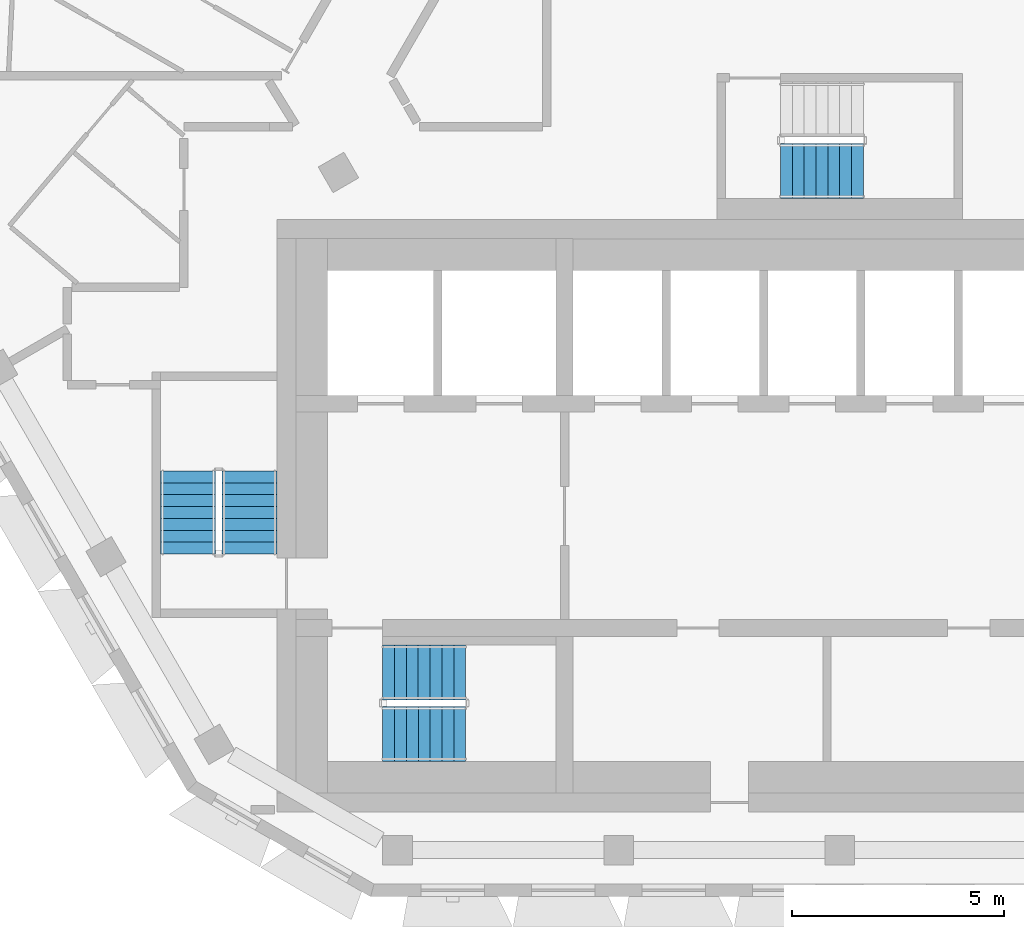
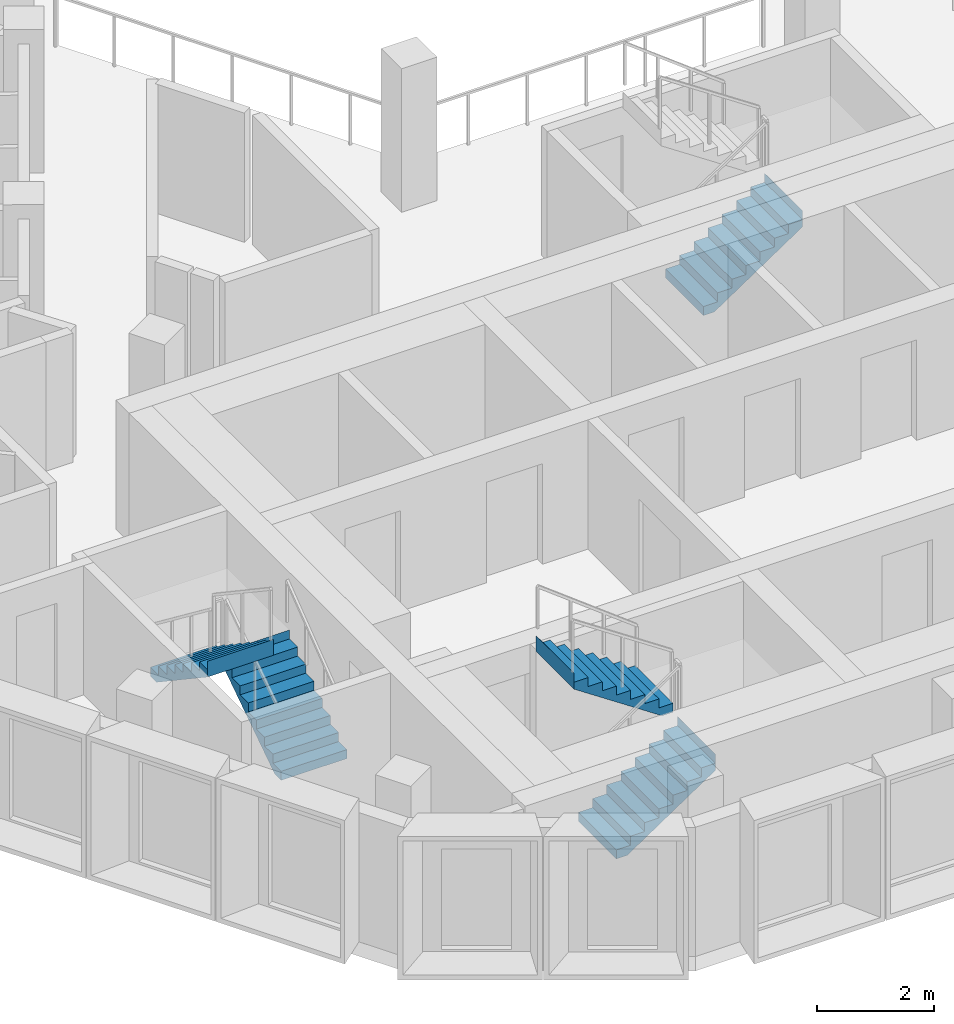
# One storey, part 10 of 16: 5 stair flights, 3 elements without a shape of their own.
"""IFC4 building model written with IfcOpenShell, lengths in metres."""

from ifc_helpers import new_model, si_unit, direction, frame, origin, place, context, subcontext, project, spatial, triangles, material, type_object, element, aggregate, save


model = new_model("IFC4")

# Units and contexts
model_context = context("Model", 3, precision=1e-05, world=origin(), true_north=direction((0.0, 1.0)))
body_context = subcontext(model_context, "Body", "Model", "MODEL_VIEW")
ifc_project = project(units=[si_unit("LENGTHUNIT", "METRE"), si_unit("AREAUNIT", "SQUARE_METRE"), si_unit("VOLUMEUNIT", "CUBIC_METRE"), si_unit("PLANEANGLEUNIT", "RADIAN"), si_unit("MASSUNIT", "GRAM", prefix="KILO")], contexts=[model_context])

# Site, building, storey
site_placement = place(None, origin())
site = spatial("IfcSite", under=ifc_project, at=site_placement, CompositionType="ELEMENT")
building_placement = place(site_placement, origin())
building = spatial("IfcBuilding", under=site, at=building_placement, Name="Beryl Residences", CompositionType="ELEMENT")
storey_placement = place(building_placement, frame((0.0, 0.0, 214.800048828125)))
storey = spatial("IfcBuildingStorey", under=building, at=storey_placement, Name="L66", CompositionType="ELEMENT", Elevation=214.800048828125)

# Stair, stair flights
ifc_material_1 = material(Name="Concrete C40/50", Category="concrete")
stair_type = type_object("IfcStairType", Name="ST1 protected exit stair, half-turn, 1300 mm flights", PredefinedType="HALF_TURN_STAIR", material=ifc_material_1)
stair_1_placement = place(storey_placement, origin())
stair_1 = element("IfcStair", 1, at=stair_1_placement, inside=storey, type_object=stair_type, Name="L66 PROTECTED EXIT STAIR ST-1", PredefinedType="HALF_TURN_STAIR")
ifc_material_2 = material(Name="Concrete C40/50", Category="concrete")
stair_flight_type = type_object("IfcStairFlightType", Name="SF1 stair flight 1300 mm", PredefinedType="STRAIGHT", material=ifc_material_2)
stair_flight_1_placement = place(storey_placement, frame((-10.800048828125, -17.14990234375, 0.0), z_axis=(0.0, 0.0, 1.0), x_axis=(1.0, 0.0, 0.0)))
stair_flight_1 = element("IfcStairFlight", 2, at=stair_flight_1_placement, type_object=stair_flight_type, Name="ST-1 flight 1", NumberOfRisers=8, NumberOfTreads=7, PredefinedType="STRAIGHT", RiserHeight=0.1875, TreadLength=0.28, context=body_context, shape_type="Tessellation", body=[
    triangles([(0.0, -0.64990234375, 0.0), (0.0, -0.324951171875, 0.0), (0.0, 0.0, 0.0), (0.0, 0.324951171875, 0.0), (0.0, 0.64990234375, 0.0), (0.0, -0.64990234375, 0.1875), (0.0, -0.324951171875, 0.1875), (0.0, 0.0, 0.1875), (0.0, 0.324951171875, 0.1875), (0.0, 0.64990234375, 0.1875), (0.280029296875, -0.64990234375, 0.1875), (0.280029296875, -0.324951171875, 0.1875), (0.280029296875, 0.0, 0.1875), (0.280029296875, 0.324951171875, 0.1875), (0.280029296875, 0.64990234375, 0.1875), (0.280029296875, -0.64990234375, 0.375), (0.280029296875, -0.324951171875, 0.375), (0.280029296875, 0.0, 0.375), (0.280029296875, 0.324951171875, 0.375), (0.280029296875, 0.64990234375, 0.375), (0.56005859375, -0.64990234375, 0.375), (0.56005859375, -0.324951171875, 0.375), (0.56005859375, 0.0, 0.375), (0.56005859375, 0.324951171875, 0.375), (0.56005859375, 0.64990234375, 0.375), (0.56005859375, -0.64990234375, 0.5625), (0.56005859375, -0.324951171875, 0.5625), (0.56005859375, 0.0, 0.5625), (0.56005859375, 0.324951171875, 0.5625), (0.56005859375, 0.64990234375, 0.5625), (0.840087890625, -0.64990234375, 0.5625), (0.840087890625, -0.324951171875, 0.5625), (0.840087890625, 0.0, 0.5625), (0.840087890625, 0.324951171875, 0.5625), (0.840087890625, 0.64990234375, 0.5625), (0.840087890625, -0.64990234375, 0.75), (0.840087890625, -0.324951171875, 0.75), (0.840087890625, 0.0, 0.75), (0.840087890625, 0.324951171875, 0.75), (0.840087890625, 0.64990234375, 0.75), (1.1201171875, -0.64990234375, 0.75), (1.1201171875, -0.324951171875, 0.75), (1.1201171875, 0.0, 0.75), (1.1201171875, 0.324951171875, 0.75), (1.1201171875, 0.64990234375, 0.75), (1.1201171875, -0.64990234375, 0.9375), (1.1201171875, -0.324951171875, 0.9375), (1.1201171875, 0.0, 0.9375), (1.1201171875, 0.324951171875, 0.9375), (1.1201171875, 0.64990234375, 0.9375), (1.39990234375, -0.64990234375, 0.9375), (1.39990234375, -0.324951171875, 0.9375), (1.39990234375, 0.0, 0.9375), (1.39990234375, 0.324951171875, 0.9375), (1.39990234375, 0.64990234375, 0.9375), (1.39990234375, -0.64990234375, 1.125), (1.39990234375, -0.324951171875, 1.125), (1.39990234375, 0.0, 1.125), (1.39990234375, 0.324951171875, 1.125), (1.39990234375, 0.64990234375, 1.125), (1.679931640625, -0.64990234375, 1.125), (1.679931640625, -0.324951171875, 1.125), (1.679931640625, 0.0, 1.125), (1.679931640625, 0.324951171875, 1.125), (1.679931640625, 0.64990234375, 1.125), (1.679931640625, -0.64990234375, 1.3125), (1.679931640625, -0.324951171875, 1.3125), (1.679931640625, 0.0, 1.3125), (1.679931640625, 0.324951171875, 1.3125), (1.679931640625, 0.64990234375, 1.3125), (1.9599609375, -0.64990234375, 1.3125), (1.9599609375, -0.324951171875, 1.3125), (1.9599609375, 0.0, 1.3125), (1.9599609375, 0.324951171875, 1.3125), (1.9599609375, 0.64990234375, 1.3125), (1.9599609375, -0.64990234375, 1.5), (1.9599609375, -0.324951171875, 1.5), (1.9599609375, 0.0, 1.5), (1.9599609375, 0.324951171875, 1.5), (1.9599609375, 0.64990234375, 1.5), (1.9609375, -0.64990234375, 1.5), (1.9609375, -0.324951171875, 1.5), (1.9609375, 0.0, 1.5), (1.9609375, 0.324951171875, 1.5), (1.9609375, 0.64990234375, 1.5), (1.9609375, -0.64990234375, 1.16796875), (1.9609375, -0.324951171875, 1.16796875), (1.9609375, 0.0, 1.16796875), (1.9609375, 0.324951171875, 1.16796875), (1.9609375, 0.64990234375, 1.16796875), (0.216796875, -0.64990234375, 0.0), (0.216796875, -0.324951171875, 0.0), (0.216796875, 0.0, 0.0), (0.216796875, 0.324951171875, 0.0), (0.216796875, 0.64990234375, 0.0)], [[1, 6, 7], [1, 7, 2], [2, 7, 8], [2, 8, 3], [3, 8, 9], [3, 9, 4], [4, 9, 10], [4, 10, 5], [6, 11, 12], [6, 12, 7], [7, 12, 13], [7, 13, 8], [8, 13, 14], [8, 14, 9], [9, 14, 15], [9, 15, 10], [11, 16, 17], [11, 17, 12], [12, 17, 18], [12, 18, 13], [13, 18, 19], [13, 19, 14], [14, 19, 20], [14, 20, 15], [16, 21, 22], [16, 22, 17], [17, 22, 23], [17, 23, 18], [18, 23, 24], [18, 24, 19], [19, 24, 25], [19, 25, 20], [21, 26, 27], [21, 27, 22], [22, 27, 28], [22, 28, 23], [23, 28, 29], [23, 29, 24], [24, 29, 30], [24, 30, 25], [26, 31, 32], [26, 32, 27], [27, 32, 33], [27, 33, 28], [28, 33, 34], [28, 34, 29], [29, 34, 35], [29, 35, 30], [31, 36, 37], [31, 37, 32], [32, 37, 38], [32, 38, 33], [33, 38, 39], [33, 39, 34], [34, 39, 40], [34, 40, 35], [36, 41, 42], [36, 42, 37], [37, 42, 43], [37, 43, 38], [38, 43, 44], [38, 44, 39], [39, 44, 45], [39, 45, 40], [41, 46, 47], [41, 47, 42], [42, 47, 48], [42, 48, 43], [43, 48, 49], [43, 49, 44], [44, 49, 50], [44, 50, 45], [46, 51, 52], [46, 52, 47], [47, 52, 53], [47, 53, 48], [48, 53, 54], [48, 54, 49], [49, 54, 55], [49, 55, 50], [51, 56, 57], [51, 57, 52], [52, 57, 58], [52, 58, 53], [53, 58, 59], [53, 59, 54], [54, 59, 60], [54, 60, 55], [56, 61, 62], [56, 62, 57], [57, 62, 63], [57, 63, 58], [58, 63, 64], [58, 64, 59], [59, 64, 65], [59, 65, 60], [61, 66, 67], [61, 67, 62], [62, 67, 68], [62, 68, 63], [63, 68, 69], [63, 69, 64], [64, 69, 70], [64, 70, 65], [66, 71, 72], [66, 72, 67], [67, 72, 73], [67, 73, 68], [68, 73, 74], [68, 74, 69], [69, 74, 75], [69, 75, 70], [71, 76, 77], [71, 77, 72], [72, 77, 78], [72, 78, 73], [73, 78, 79], [73, 79, 74], [74, 79, 80], [74, 80, 75], [76, 81, 82], [76, 82, 77], [77, 82, 83], [77, 83, 78], [78, 83, 84], [78, 84, 79], [79, 84, 85], [79, 85, 80], [81, 86, 87], [81, 87, 82], [82, 87, 88], [82, 88, 83], [83, 88, 89], [83, 89, 84], [84, 89, 90], [84, 90, 85], [86, 91, 92], [86, 92, 87], [87, 92, 93], [87, 93, 88], [88, 93, 94], [88, 94, 89], [89, 94, 95], [89, 95, 90], [91, 1, 2], [91, 2, 92], [92, 2, 3], [92, 3, 93], [93, 3, 4], [93, 4, 94], [94, 4, 5], [94, 5, 95], [1, 91, 86], [5, 90, 95], [86, 81, 76], [90, 80, 85], [86, 76, 71], [90, 75, 80], [86, 71, 66], [90, 70, 75], [86, 66, 61], [90, 65, 70], [61, 56, 51], [65, 55, 60], [86, 61, 51], [90, 55, 65], [51, 46, 41], [55, 45, 50], [86, 51, 41], [90, 45, 55], [41, 36, 31], [45, 35, 40], [86, 41, 31], [90, 35, 45], [31, 26, 21], [35, 25, 30], [86, 31, 21], [90, 25, 35], [21, 16, 11], [25, 15, 20], [86, 21, 11], [90, 15, 25], [1, 86, 11], [5, 15, 90], [11, 6, 1], [15, 5, 10]], closed=True),
])
stair_flight_2_placement = place(storey_placement, frame((-8.840087890625, -15.699951171875, 1.5), z_axis=(0.0, 0.0, 1.0), x_axis=(-1.0, 0.0, 0.0)))
stair_flight_2 = element("IfcStairFlight", 3, at=stair_flight_2_placement, type_object=stair_flight_type, Name="ST-1 flight 2", NumberOfRisers=8, NumberOfTreads=7, PredefinedType="STRAIGHT", RiserHeight=0.1875, TreadLength=0.28, context=body_context, shape_type="Tessellation", body=[
    triangles([(0.0, -0.64990234375, 0.0), (0.0, -0.324951171875, 0.0), (0.0, 0.0, 0.0), (0.0, 0.324951171875, 0.0), (0.0, 0.64990234375, 0.0), (0.0, -0.64990234375, 0.1875), (0.0, -0.324951171875, 0.1875), (0.0, 0.0, 0.1875), (0.0, 0.324951171875, 0.1875), (0.0, 0.64990234375, 0.1875), (0.280029296875, -0.64990234375, 0.1875), (0.280029296875, -0.324951171875, 0.1875), (0.280029296875, 0.0, 0.1875), (0.280029296875, 0.324951171875, 0.1875), (0.280029296875, 0.64990234375, 0.1875), (0.280029296875, -0.64990234375, 0.375), (0.280029296875, -0.324951171875, 0.375), (0.280029296875, 0.0, 0.375), (0.280029296875, 0.324951171875, 0.375), (0.280029296875, 0.64990234375, 0.375), (0.56005859375, -0.64990234375, 0.375), (0.56005859375, -0.324951171875, 0.375), (0.56005859375, 0.0, 0.375), (0.56005859375, 0.324951171875, 0.375), (0.56005859375, 0.64990234375, 0.375), (0.56005859375, -0.64990234375, 0.5625), (0.56005859375, -0.324951171875, 0.5625), (0.56005859375, 0.0, 0.5625), (0.56005859375, 0.324951171875, 0.5625), (0.56005859375, 0.64990234375, 0.5625), (0.840087890625, -0.64990234375, 0.5625), (0.840087890625, -0.324951171875, 0.5625), (0.840087890625, 0.0, 0.5625), (0.840087890625, 0.324951171875, 0.5625), (0.840087890625, 0.64990234375, 0.5625), (0.840087890625, -0.64990234375, 0.75), (0.840087890625, -0.324951171875, 0.75), (0.840087890625, 0.0, 0.75), (0.840087890625, 0.324951171875, 0.75), (0.840087890625, 0.64990234375, 0.75), (1.1201171875, -0.64990234375, 0.75), (1.1201171875, -0.324951171875, 0.75), (1.1201171875, 0.0, 0.75), (1.1201171875, 0.324951171875, 0.75), (1.1201171875, 0.64990234375, 0.75), (1.1201171875, -0.64990234375, 0.9375), (1.1201171875, -0.324951171875, 0.9375), (1.1201171875, 0.0, 0.9375), (1.1201171875, 0.324951171875, 0.9375), (1.1201171875, 0.64990234375, 0.9375), (1.39990234375, -0.64990234375, 0.9375), (1.39990234375, -0.324951171875, 0.9375), (1.39990234375, 0.0, 0.9375), (1.39990234375, 0.324951171875, 0.9375), (1.39990234375, 0.64990234375, 0.9375), (1.39990234375, -0.64990234375, 1.125), (1.39990234375, -0.324951171875, 1.125), (1.39990234375, 0.0, 1.125), (1.39990234375, 0.324951171875, 1.125), (1.39990234375, 0.64990234375, 1.125), (1.679931640625, -0.64990234375, 1.125), (1.679931640625, -0.324951171875, 1.125), (1.679931640625, 0.0, 1.125), (1.679931640625, 0.324951171875, 1.125), (1.679931640625, 0.64990234375, 1.125), (1.679931640625, -0.64990234375, 1.3125), (1.679931640625, -0.324951171875, 1.3125), (1.679931640625, 0.0, 1.3125), (1.679931640625, 0.324951171875, 1.3125), (1.679931640625, 0.64990234375, 1.3125), (1.9599609375, -0.64990234375, 1.3125), (1.9599609375, -0.324951171875, 1.3125), (1.9599609375, 0.0, 1.3125), (1.9599609375, 0.324951171875, 1.3125), (1.9599609375, 0.64990234375, 1.3125), (1.9599609375, -0.64990234375, 1.5), (1.9599609375, -0.324951171875, 1.5), (1.9599609375, 0.0, 1.5), (1.9599609375, 0.324951171875, 1.5), (1.9599609375, 0.64990234375, 1.5), (1.9609375, -0.64990234375, 1.5), (1.9609375, -0.324951171875, 1.5), (1.9609375, 0.0, 1.5), (1.9609375, 0.324951171875, 1.5), (1.9609375, 0.64990234375, 1.5), (1.9609375, -0.64990234375, 1.16796875), (1.9609375, -0.324951171875, 1.16796875), (1.9609375, 0.0, 1.16796875), (1.9609375, 0.324951171875, 1.16796875), (1.9609375, 0.64990234375, 1.16796875), (0.216796875, -0.64990234375, 0.0), (0.216796875, -0.324951171875, 0.0), (0.216796875, 0.0, 0.0), (0.216796875, 0.324951171875, 0.0), (0.216796875, 0.64990234375, 0.0)], [[1, 6, 7], [1, 7, 2], [2, 7, 8], [2, 8, 3], [3, 8, 9], [3, 9, 4], [4, 9, 10], [4, 10, 5], [6, 11, 12], [6, 12, 7], [7, 12, 13], [7, 13, 8], [8, 13, 14], [8, 14, 9], [9, 14, 15], [9, 15, 10], [11, 16, 17], [11, 17, 12], [12, 17, 18], [12, 18, 13], [13, 18, 19], [13, 19, 14], [14, 19, 20], [14, 20, 15], [16, 21, 22], [16, 22, 17], [17, 22, 23], [17, 23, 18], [18, 23, 24], [18, 24, 19], [19, 24, 25], [19, 25, 20], [21, 26, 27], [21, 27, 22], [22, 27, 28], [22, 28, 23], [23, 28, 29], [23, 29, 24], [24, 29, 30], [24, 30, 25], [26, 31, 32], [26, 32, 27], [27, 32, 33], [27, 33, 28], [28, 33, 34], [28, 34, 29], [29, 34, 35], [29, 35, 30], [31, 36, 37], [31, 37, 32], [32, 37, 38], [32, 38, 33], [33, 38, 39], [33, 39, 34], [34, 39, 40], [34, 40, 35], [36, 41, 42], [36, 42, 37], [37, 42, 43], [37, 43, 38], [38, 43, 44], [38, 44, 39], [39, 44, 45], [39, 45, 40], [41, 46, 47], [41, 47, 42], [42, 47, 48], [42, 48, 43], [43, 48, 49], [43, 49, 44], [44, 49, 50], [44, 50, 45], [46, 51, 52], [46, 52, 47], [47, 52, 53], [47, 53, 48], [48, 53, 54], [48, 54, 49], [49, 54, 55], [49, 55, 50], [51, 56, 57], [51, 57, 52], [52, 57, 58], [52, 58, 53], [53, 58, 59], [53, 59, 54], [54, 59, 60], [54, 60, 55], [56, 61, 62], [56, 62, 57], [57, 62, 63], [57, 63, 58], [58, 63, 64], [58, 64, 59], [59, 64, 65], [59, 65, 60], [61, 66, 67], [61, 67, 62], [62, 67, 68], [62, 68, 63], [63, 68, 69], [63, 69, 64], [64, 69, 70], [64, 70, 65], [66, 71, 72], [66, 72, 67], [67, 72, 73], [67, 73, 68], [68, 73, 74], [68, 74, 69], [69, 74, 75], [69, 75, 70], [71, 76, 77], [71, 77, 72], [72, 77, 78], [72, 78, 73], [73, 78, 79], [73, 79, 74], [74, 79, 80], [74, 80, 75], [76, 81, 82], [76, 82, 77], [77, 82, 83], [77, 83, 78], [78, 83, 84], [78, 84, 79], [79, 84, 85], [79, 85, 80], [81, 86, 87], [81, 87, 82], [82, 87, 88], [82, 88, 83], [83, 88, 89], [83, 89, 84], [84, 89, 90], [84, 90, 85], [86, 91, 92], [86, 92, 87], [87, 92, 93], [87, 93, 88], [88, 93, 94], [88, 94, 89], [89, 94, 95], [89, 95, 90], [91, 1, 2], [91, 2, 92], [92, 2, 3], [92, 3, 93], [93, 3, 4], [93, 4, 94], [94, 4, 5], [94, 5, 95], [1, 91, 86], [5, 90, 95], [86, 81, 76], [90, 80, 85], [86, 76, 71], [90, 75, 80], [86, 71, 66], [90, 70, 75], [86, 66, 61], [90, 65, 70], [61, 56, 51], [65, 55, 60], [86, 61, 51], [90, 55, 65], [51, 46, 41], [55, 45, 50], [86, 51, 41], [90, 45, 55], [41, 36, 31], [45, 35, 40], [86, 41, 31], [90, 35, 45], [31, 26, 21], [35, 25, 30], [86, 31, 21], [90, 25, 35], [21, 16, 11], [25, 15, 20], [86, 21, 11], [90, 15, 25], [1, 86, 11], [5, 15, 90], [11, 6, 1], [15, 5, 10]], closed=True),
])
aggregate(stair_1, [stair_flight_1, stair_flight_2])

stair_2_placement = place(storey_placement, origin())
stair_2 = element("IfcStair", 4, at=stair_2_placement, inside=storey, type_object=stair_type, Name="L66 PROTECTED EXIT STAIR ST-2", PredefinedType="HALF_TURN_STAIR")
stair_flight_3_placement = place(storey_placement, frame((-13.949951171875, -12.89990234375, 0.0), z_axis=(0.0, 0.0, 1.0), x_axis=(0.0, 1.0, 0.0)))
stair_flight_3 = element("IfcStairFlight", 5, at=stair_flight_3_placement, type_object=stair_flight_type, Name="ST-2 flight 1", NumberOfRisers=8, NumberOfTreads=7, PredefinedType="STRAIGHT", RiserHeight=0.1875, TreadLength=0.28, context=body_context, shape_type="Tessellation", body=[
    triangles([(0.0, -0.64990234375, 0.0), (0.0, -0.324951171875, 0.0), (0.0, 0.0, 0.0), (0.0, 0.324951171875, 0.0), (0.0, 0.64990234375, 0.0), (0.0, -0.64990234375, 0.1875), (0.0, -0.324951171875, 0.1875), (0.0, 0.0, 0.1875), (0.0, 0.324951171875, 0.1875), (0.0, 0.64990234375, 0.1875), (0.280029296875, -0.64990234375, 0.1875), (0.280029296875, -0.324951171875, 0.1875), (0.280029296875, 0.0, 0.1875), (0.280029296875, 0.324951171875, 0.1875), (0.280029296875, 0.64990234375, 0.1875), (0.280029296875, -0.64990234375, 0.375), (0.280029296875, -0.324951171875, 0.375), (0.280029296875, 0.0, 0.375), (0.280029296875, 0.324951171875, 0.375), (0.280029296875, 0.64990234375, 0.375), (0.56005859375, -0.64990234375, 0.375), (0.56005859375, -0.324951171875, 0.375), (0.56005859375, 0.0, 0.375), (0.56005859375, 0.324951171875, 0.375), (0.56005859375, 0.64990234375, 0.375), (0.56005859375, -0.64990234375, 0.5625), (0.56005859375, -0.324951171875, 0.5625), (0.56005859375, 0.0, 0.5625), (0.56005859375, 0.324951171875, 0.5625), (0.56005859375, 0.64990234375, 0.5625), (0.840087890625, -0.64990234375, 0.5625), (0.840087890625, -0.324951171875, 0.5625), (0.840087890625, 0.0, 0.5625), (0.840087890625, 0.324951171875, 0.5625), (0.840087890625, 0.64990234375, 0.5625), (0.840087890625, -0.64990234375, 0.75), (0.840087890625, -0.324951171875, 0.75), (0.840087890625, 0.0, 0.75), (0.840087890625, 0.324951171875, 0.75), (0.840087890625, 0.64990234375, 0.75), (1.1201171875, -0.64990234375, 0.75), (1.1201171875, -0.324951171875, 0.75), (1.1201171875, 0.0, 0.75), (1.1201171875, 0.324951171875, 0.75), (1.1201171875, 0.64990234375, 0.75), (1.1201171875, -0.64990234375, 0.9375), (1.1201171875, -0.324951171875, 0.9375), (1.1201171875, 0.0, 0.9375), (1.1201171875, 0.324951171875, 0.9375), (1.1201171875, 0.64990234375, 0.9375), (1.39990234375, -0.64990234375, 0.9375), (1.39990234375, -0.324951171875, 0.9375), (1.39990234375, 0.0, 0.9375), (1.39990234375, 0.324951171875, 0.9375), (1.39990234375, 0.64990234375, 0.9375), (1.39990234375, -0.64990234375, 1.125), (1.39990234375, -0.324951171875, 1.125), (1.39990234375, 0.0, 1.125), (1.39990234375, 0.324951171875, 1.125), (1.39990234375, 0.64990234375, 1.125), (1.679931640625, -0.64990234375, 1.125), (1.679931640625, -0.324951171875, 1.125), (1.679931640625, 0.0, 1.125), (1.679931640625, 0.324951171875, 1.125), (1.679931640625, 0.64990234375, 1.125), (1.679931640625, -0.64990234375, 1.3125), (1.679931640625, -0.324951171875, 1.3125), (1.679931640625, 0.0, 1.3125), (1.679931640625, 0.324951171875, 1.3125), (1.679931640625, 0.64990234375, 1.3125), (1.9599609375, -0.64990234375, 1.3125), (1.9599609375, -0.324951171875, 1.3125), (1.9599609375, 0.0, 1.3125), (1.9599609375, 0.324951171875, 1.3125), (1.9599609375, 0.64990234375, 1.3125), (1.9599609375, -0.64990234375, 1.5), (1.9599609375, -0.324951171875, 1.5), (1.9599609375, 0.0, 1.5), (1.9599609375, 0.324951171875, 1.5), (1.9599609375, 0.64990234375, 1.5), (1.9609375, -0.64990234375, 1.5), (1.9609375, -0.324951171875, 1.5), (1.9609375, 0.0, 1.5), (1.9609375, 0.324951171875, 1.5), (1.9609375, 0.64990234375, 1.5), (1.9609375, -0.64990234375, 1.16796875), (1.9609375, -0.324951171875, 1.16796875), (1.9609375, 0.0, 1.16796875), (1.9609375, 0.324951171875, 1.16796875), (1.9609375, 0.64990234375, 1.16796875), (0.216796875, -0.64990234375, 0.0), (0.216796875, -0.324951171875, 0.0), (0.216796875, 0.0, 0.0), (0.216796875, 0.324951171875, 0.0), (0.216796875, 0.64990234375, 0.0)], [[1, 6, 7], [1, 7, 2], [2, 7, 8], [2, 8, 3], [3, 8, 9], [3, 9, 4], [4, 9, 10], [4, 10, 5], [6, 11, 12], [6, 12, 7], [7, 12, 13], [7, 13, 8], [8, 13, 14], [8, 14, 9], [9, 14, 15], [9, 15, 10], [11, 16, 17], [11, 17, 12], [12, 17, 18], [12, 18, 13], [13, 18, 19], [13, 19, 14], [14, 19, 20], [14, 20, 15], [16, 21, 22], [16, 22, 17], [17, 22, 23], [17, 23, 18], [18, 23, 24], [18, 24, 19], [19, 24, 25], [19, 25, 20], [21, 26, 27], [21, 27, 22], [22, 27, 28], [22, 28, 23], [23, 28, 29], [23, 29, 24], [24, 29, 30], [24, 30, 25], [26, 31, 32], [26, 32, 27], [27, 32, 33], [27, 33, 28], [28, 33, 34], [28, 34, 29], [29, 34, 35], [29, 35, 30], [31, 36, 37], [31, 37, 32], [32, 37, 38], [32, 38, 33], [33, 38, 39], [33, 39, 34], [34, 39, 40], [34, 40, 35], [36, 41, 42], [36, 42, 37], [37, 42, 43], [37, 43, 38], [38, 43, 44], [38, 44, 39], [39, 44, 45], [39, 45, 40], [41, 46, 47], [41, 47, 42], [42, 47, 48], [42, 48, 43], [43, 48, 49], [43, 49, 44], [44, 49, 50], [44, 50, 45], [46, 51, 52], [46, 52, 47], [47, 52, 53], [47, 53, 48], [48, 53, 54], [48, 54, 49], [49, 54, 55], [49, 55, 50], [51, 56, 57], [51, 57, 52], [52, 57, 58], [52, 58, 53], [53, 58, 59], [53, 59, 54], [54, 59, 60], [54, 60, 55], [56, 61, 62], [56, 62, 57], [57, 62, 63], [57, 63, 58], [58, 63, 64], [58, 64, 59], [59, 64, 65], [59, 65, 60], [61, 66, 67], [61, 67, 62], [62, 67, 68], [62, 68, 63], [63, 68, 69], [63, 69, 64], [64, 69, 70], [64, 70, 65], [66, 71, 72], [66, 72, 67], [67, 72, 73], [67, 73, 68], [68, 73, 74], [68, 74, 69], [69, 74, 75], [69, 75, 70], [71, 76, 77], [71, 77, 72], [72, 77, 78], [72, 78, 73], [73, 78, 79], [73, 79, 74], [74, 79, 80], [74, 80, 75], [76, 81, 82], [76, 82, 77], [77, 82, 83], [77, 83, 78], [78, 83, 84], [78, 84, 79], [79, 84, 85], [79, 85, 80], [81, 86, 87], [81, 87, 82], [82, 87, 88], [82, 88, 83], [83, 88, 89], [83, 89, 84], [84, 89, 90], [84, 90, 85], [86, 91, 92], [86, 92, 87], [87, 92, 93], [87, 93, 88], [88, 93, 94], [88, 94, 89], [89, 94, 95], [89, 95, 90], [91, 1, 2], [91, 2, 92], [92, 2, 3], [92, 3, 93], [93, 3, 4], [93, 4, 94], [94, 4, 5], [94, 5, 95], [1, 91, 86], [5, 90, 95], [86, 81, 76], [90, 80, 85], [86, 76, 71], [90, 75, 80], [86, 71, 66], [90, 70, 75], [86, 66, 61], [90, 65, 70], [61, 56, 51], [65, 55, 60], [86, 61, 51], [90, 55, 65], [51, 46, 41], [55, 45, 50], [86, 51, 41], [90, 45, 55], [41, 36, 31], [45, 35, 40], [86, 41, 31], [90, 35, 45], [31, 26, 21], [35, 25, 30], [86, 31, 21], [90, 25, 35], [21, 16, 11], [25, 15, 20], [86, 21, 11], [90, 15, 25], [1, 86, 11], [5, 15, 90], [11, 6, 1], [15, 5, 10]], closed=True),
])
stair_flight_4_placement = place(storey_placement, frame((-15.39990234375, -10.93994140625, 1.5), z_axis=(0.0, 0.0, 1.0), x_axis=(0.0, -1.0, 0.0)))
stair_flight_4 = element("IfcStairFlight", 6, at=stair_flight_4_placement, type_object=stair_flight_type, Name="ST-2 flight 2", NumberOfRisers=8, NumberOfTreads=7, PredefinedType="STRAIGHT", RiserHeight=0.1875, TreadLength=0.28, context=body_context, shape_type="Tessellation", body=[
    triangles([(0.0, -0.64990234375, 0.0), (0.0, -0.324951171875, 0.0), (0.0, 0.0, 0.0), (0.0, 0.324951171875, 0.0), (0.0, 0.64990234375, 0.0), (0.0, -0.64990234375, 0.1875), (0.0, -0.324951171875, 0.1875), (0.0, 0.0, 0.1875), (0.0, 0.324951171875, 0.1875), (0.0, 0.64990234375, 0.1875), (0.280029296875, -0.64990234375, 0.1875), (0.280029296875, -0.324951171875, 0.1875), (0.280029296875, 0.0, 0.1875), (0.280029296875, 0.324951171875, 0.1875), (0.280029296875, 0.64990234375, 0.1875), (0.280029296875, -0.64990234375, 0.375), (0.280029296875, -0.324951171875, 0.375), (0.280029296875, 0.0, 0.375), (0.280029296875, 0.324951171875, 0.375), (0.280029296875, 0.64990234375, 0.375), (0.56005859375, -0.64990234375, 0.375), (0.56005859375, -0.324951171875, 0.375), (0.56005859375, 0.0, 0.375), (0.56005859375, 0.324951171875, 0.375), (0.56005859375, 0.64990234375, 0.375), (0.56005859375, -0.64990234375, 0.5625), (0.56005859375, -0.324951171875, 0.5625), (0.56005859375, 0.0, 0.5625), (0.56005859375, 0.324951171875, 0.5625), (0.56005859375, 0.64990234375, 0.5625), (0.840087890625, -0.64990234375, 0.5625), (0.840087890625, -0.324951171875, 0.5625), (0.840087890625, 0.0, 0.5625), (0.840087890625, 0.324951171875, 0.5625), (0.840087890625, 0.64990234375, 0.5625), (0.840087890625, -0.64990234375, 0.75), (0.840087890625, -0.324951171875, 0.75), (0.840087890625, 0.0, 0.75), (0.840087890625, 0.324951171875, 0.75), (0.840087890625, 0.64990234375, 0.75), (1.1201171875, -0.64990234375, 0.75), (1.1201171875, -0.324951171875, 0.75), (1.1201171875, 0.0, 0.75), (1.1201171875, 0.324951171875, 0.75), (1.1201171875, 0.64990234375, 0.75), (1.1201171875, -0.64990234375, 0.9375), (1.1201171875, -0.324951171875, 0.9375), (1.1201171875, 0.0, 0.9375), (1.1201171875, 0.324951171875, 0.9375), (1.1201171875, 0.64990234375, 0.9375), (1.39990234375, -0.64990234375, 0.9375), (1.39990234375, -0.324951171875, 0.9375), (1.39990234375, 0.0, 0.9375), (1.39990234375, 0.324951171875, 0.9375), (1.39990234375, 0.64990234375, 0.9375), (1.39990234375, -0.64990234375, 1.125), (1.39990234375, -0.324951171875, 1.125), (1.39990234375, 0.0, 1.125), (1.39990234375, 0.324951171875, 1.125), (1.39990234375, 0.64990234375, 1.125), (1.679931640625, -0.64990234375, 1.125), (1.679931640625, -0.324951171875, 1.125), (1.679931640625, 0.0, 1.125), (1.679931640625, 0.324951171875, 1.125), (1.679931640625, 0.64990234375, 1.125), (1.679931640625, -0.64990234375, 1.3125), (1.679931640625, -0.324951171875, 1.3125), (1.679931640625, 0.0, 1.3125), (1.679931640625, 0.324951171875, 1.3125), (1.679931640625, 0.64990234375, 1.3125), (1.9599609375, -0.64990234375, 1.3125), (1.9599609375, -0.324951171875, 1.3125), (1.9599609375, 0.0, 1.3125), (1.9599609375, 0.324951171875, 1.3125), (1.9599609375, 0.64990234375, 1.3125), (1.9599609375, -0.64990234375, 1.5), (1.9599609375, -0.324951171875, 1.5), (1.9599609375, 0.0, 1.5), (1.9599609375, 0.324951171875, 1.5), (1.9599609375, 0.64990234375, 1.5), (1.9609375, -0.64990234375, 1.5), (1.9609375, -0.324951171875, 1.5), (1.9609375, 0.0, 1.5), (1.9609375, 0.324951171875, 1.5), (1.9609375, 0.64990234375, 1.5), (1.9609375, -0.64990234375, 1.16796875), (1.9609375, -0.324951171875, 1.16796875), (1.9609375, 0.0, 1.16796875), (1.9609375, 0.324951171875, 1.16796875), (1.9609375, 0.64990234375, 1.16796875), (0.216796875, -0.64990234375, 0.0), (0.216796875, -0.324951171875, 0.0), (0.216796875, 0.0, 0.0), (0.216796875, 0.324951171875, 0.0), (0.216796875, 0.64990234375, 0.0)], [[1, 6, 7], [1, 7, 2], [2, 7, 8], [2, 8, 3], [3, 8, 9], [3, 9, 4], [4, 9, 10], [4, 10, 5], [6, 11, 12], [6, 12, 7], [7, 12, 13], [7, 13, 8], [8, 13, 14], [8, 14, 9], [9, 14, 15], [9, 15, 10], [11, 16, 17], [11, 17, 12], [12, 17, 18], [12, 18, 13], [13, 18, 19], [13, 19, 14], [14, 19, 20], [14, 20, 15], [16, 21, 22], [16, 22, 17], [17, 22, 23], [17, 23, 18], [18, 23, 24], [18, 24, 19], [19, 24, 25], [19, 25, 20], [21, 26, 27], [21, 27, 22], [22, 27, 28], [22, 28, 23], [23, 28, 29], [23, 29, 24], [24, 29, 30], [24, 30, 25], [26, 31, 32], [26, 32, 27], [27, 32, 33], [27, 33, 28], [28, 33, 34], [28, 34, 29], [29, 34, 35], [29, 35, 30], [31, 36, 37], [31, 37, 32], [32, 37, 38], [32, 38, 33], [33, 38, 39], [33, 39, 34], [34, 39, 40], [34, 40, 35], [36, 41, 42], [36, 42, 37], [37, 42, 43], [37, 43, 38], [38, 43, 44], [38, 44, 39], [39, 44, 45], [39, 45, 40], [41, 46, 47], [41, 47, 42], [42, 47, 48], [42, 48, 43], [43, 48, 49], [43, 49, 44], [44, 49, 50], [44, 50, 45], [46, 51, 52], [46, 52, 47], [47, 52, 53], [47, 53, 48], [48, 53, 54], [48, 54, 49], [49, 54, 55], [49, 55, 50], [51, 56, 57], [51, 57, 52], [52, 57, 58], [52, 58, 53], [53, 58, 59], [53, 59, 54], [54, 59, 60], [54, 60, 55], [56, 61, 62], [56, 62, 57], [57, 62, 63], [57, 63, 58], [58, 63, 64], [58, 64, 59], [59, 64, 65], [59, 65, 60], [61, 66, 67], [61, 67, 62], [62, 67, 68], [62, 68, 63], [63, 68, 69], [63, 69, 64], [64, 69, 70], [64, 70, 65], [66, 71, 72], [66, 72, 67], [67, 72, 73], [67, 73, 68], [68, 73, 74], [68, 74, 69], [69, 74, 75], [69, 75, 70], [71, 76, 77], [71, 77, 72], [72, 77, 78], [72, 78, 73], [73, 78, 79], [73, 79, 74], [74, 79, 80], [74, 80, 75], [76, 81, 82], [76, 82, 77], [77, 82, 83], [77, 83, 78], [78, 83, 84], [78, 84, 79], [79, 84, 85], [79, 85, 80], [81, 86, 87], [81, 87, 82], [82, 87, 88], [82, 88, 83], [83, 88, 89], [83, 89, 84], [84, 89, 90], [84, 90, 85], [86, 91, 92], [86, 92, 87], [87, 92, 93], [87, 93, 88], [88, 93, 94], [88, 94, 89], [89, 94, 95], [89, 95, 90], [91, 1, 2], [91, 2, 92], [92, 2, 3], [92, 3, 93], [93, 3, 4], [93, 4, 94], [94, 4, 5], [94, 5, 95], [1, 91, 86], [5, 90, 95], [86, 81, 76], [90, 80, 85], [86, 76, 71], [90, 75, 80], [86, 71, 66], [90, 70, 75], [86, 66, 61], [90, 65, 70], [61, 56, 51], [65, 55, 60], [86, 61, 51], [90, 55, 65], [51, 46, 41], [55, 45, 50], [86, 51, 41], [90, 45, 55], [41, 36, 31], [45, 35, 40], [86, 41, 31], [90, 35, 45], [31, 26, 21], [35, 25, 30], [86, 31, 21], [90, 25, 35], [21, 16, 11], [25, 15, 20], [86, 21, 11], [90, 15, 25], [1, 86, 11], [5, 15, 90], [11, 6, 1], [15, 5, 10]], closed=True),
])
aggregate(stair_2, [stair_flight_3, stair_flight_4])

# Stair, stair flight
stair_3_placement = place(storey_placement, origin())
stair_3 = element("IfcStair", 7, at=stair_3_placement, inside=storey, type_object=stair_type, Name="L66 PROTECTED EXIT STAIR ST-4", PredefinedType="HALF_TURN_STAIR")
stair_flight_5_placement = place(storey_placement, frame((-1.39990234375, -3.85009765625, 0.0), z_axis=(0.0, 0.0, 1.0), x_axis=(1.0, 0.0, 0.0)))
stair_flight_5 = element("IfcStairFlight", 8, at=stair_flight_5_placement, type_object=stair_flight_type, Name="ST-4 flight 1", NumberOfRisers=8, NumberOfTreads=7, PredefinedType="STRAIGHT", RiserHeight=0.1875, TreadLength=0.28, context=body_context, shape_type="Tessellation", body=[
    triangles([(0.0, -0.64990234375, 0.0), (0.0, -0.324951171875, 0.0), (0.0, 0.0, 0.0), (0.0, 0.324951171875, 0.0), (0.0, 0.64990234375, 0.0), (0.0, -0.64990234375, 0.1875), (0.0, -0.324951171875, 0.1875), (0.0, 0.0, 0.1875), (0.0, 0.324951171875, 0.1875), (0.0, 0.64990234375, 0.1875), (0.280029296875, -0.64990234375, 0.1875), (0.280029296875, -0.324951171875, 0.1875), (0.280029296875, 0.0, 0.1875), (0.280029296875, 0.324951171875, 0.1875), (0.280029296875, 0.64990234375, 0.1875), (0.280029296875, -0.64990234375, 0.375), (0.280029296875, -0.324951171875, 0.375), (0.280029296875, 0.0, 0.375), (0.280029296875, 0.324951171875, 0.375), (0.280029296875, 0.64990234375, 0.375), (0.56005859375, -0.64990234375, 0.375), (0.56005859375, -0.324951171875, 0.375), (0.56005859375, 0.0, 0.375), (0.56005859375, 0.324951171875, 0.375), (0.56005859375, 0.64990234375, 0.375), (0.56005859375, -0.64990234375, 0.5625), (0.56005859375, -0.324951171875, 0.5625), (0.56005859375, 0.0, 0.5625), (0.56005859375, 0.324951171875, 0.5625), (0.56005859375, 0.64990234375, 0.5625), (0.840087890625, -0.64990234375, 0.5625), (0.840087890625, -0.324951171875, 0.5625), (0.840087890625, 0.0, 0.5625), (0.840087890625, 0.324951171875, 0.5625), (0.840087890625, 0.64990234375, 0.5625), (0.840087890625, -0.64990234375, 0.75), (0.840087890625, -0.324951171875, 0.75), (0.840087890625, 0.0, 0.75), (0.840087890625, 0.324951171875, 0.75), (0.840087890625, 0.64990234375, 0.75), (1.1201171875, -0.64990234375, 0.75), (1.1201171875, -0.324951171875, 0.75), (1.1201171875, 0.0, 0.75), (1.1201171875, 0.324951171875, 0.75), (1.1201171875, 0.64990234375, 0.75), (1.1201171875, -0.64990234375, 0.9375), (1.1201171875, -0.324951171875, 0.9375), (1.1201171875, 0.0, 0.9375), (1.1201171875, 0.324951171875, 0.9375), (1.1201171875, 0.64990234375, 0.9375), (1.39990234375, -0.64990234375, 0.9375), (1.39990234375, -0.324951171875, 0.9375), (1.39990234375, 0.0, 0.9375), (1.39990234375, 0.324951171875, 0.9375), (1.39990234375, 0.64990234375, 0.9375), (1.39990234375, -0.64990234375, 1.125), (1.39990234375, -0.324951171875, 1.125), (1.39990234375, 0.0, 1.125), (1.39990234375, 0.324951171875, 1.125), (1.39990234375, 0.64990234375, 1.125), (1.679931640625, -0.64990234375, 1.125), (1.679931640625, -0.324951171875, 1.125), (1.679931640625, 0.0, 1.125), (1.679931640625, 0.324951171875, 1.125), (1.679931640625, 0.64990234375, 1.125), (1.679931640625, -0.64990234375, 1.3125), (1.679931640625, -0.324951171875, 1.3125), (1.679931640625, 0.0, 1.3125), (1.679931640625, 0.324951171875, 1.3125), (1.679931640625, 0.64990234375, 1.3125), (1.9599609375, -0.64990234375, 1.3125), (1.9599609375, -0.324951171875, 1.3125), (1.9599609375, 0.0, 1.3125), (1.9599609375, 0.324951171875, 1.3125), (1.9599609375, 0.64990234375, 1.3125), (1.9599609375, -0.64990234375, 1.5), (1.9599609375, -0.324951171875, 1.5), (1.9599609375, 0.0, 1.5), (1.9599609375, 0.324951171875, 1.5), (1.9599609375, 0.64990234375, 1.5), (1.9609375, -0.64990234375, 1.5), (1.9609375, -0.324951171875, 1.5), (1.9609375, 0.0, 1.5), (1.9609375, 0.324951171875, 1.5), (1.9609375, 0.64990234375, 1.5), (1.9609375, -0.64990234375, 1.16796875), (1.9609375, -0.324951171875, 1.16796875), (1.9609375, 0.0, 1.16796875), (1.9609375, 0.324951171875, 1.16796875), (1.9609375, 0.64990234375, 1.16796875), (0.216796875, -0.64990234375, 0.0), (0.216796875, -0.324951171875, 0.0), (0.216796875, 0.0, 0.0), (0.216796875, 0.324951171875, 0.0), (0.216796875, 0.64990234375, 0.0)], [[1, 6, 7], [1, 7, 2], [2, 7, 8], [2, 8, 3], [3, 8, 9], [3, 9, 4], [4, 9, 10], [4, 10, 5], [6, 11, 12], [6, 12, 7], [7, 12, 13], [7, 13, 8], [8, 13, 14], [8, 14, 9], [9, 14, 15], [9, 15, 10], [11, 16, 17], [11, 17, 12], [12, 17, 18], [12, 18, 13], [13, 18, 19], [13, 19, 14], [14, 19, 20], [14, 20, 15], [16, 21, 22], [16, 22, 17], [17, 22, 23], [17, 23, 18], [18, 23, 24], [18, 24, 19], [19, 24, 25], [19, 25, 20], [21, 26, 27], [21, 27, 22], [22, 27, 28], [22, 28, 23], [23, 28, 29], [23, 29, 24], [24, 29, 30], [24, 30, 25], [26, 31, 32], [26, 32, 27], [27, 32, 33], [27, 33, 28], [28, 33, 34], [28, 34, 29], [29, 34, 35], [29, 35, 30], [31, 36, 37], [31, 37, 32], [32, 37, 38], [32, 38, 33], [33, 38, 39], [33, 39, 34], [34, 39, 40], [34, 40, 35], [36, 41, 42], [36, 42, 37], [37, 42, 43], [37, 43, 38], [38, 43, 44], [38, 44, 39], [39, 44, 45], [39, 45, 40], [41, 46, 47], [41, 47, 42], [42, 47, 48], [42, 48, 43], [43, 48, 49], [43, 49, 44], [44, 49, 50], [44, 50, 45], [46, 51, 52], [46, 52, 47], [47, 52, 53], [47, 53, 48], [48, 53, 54], [48, 54, 49], [49, 54, 55], [49, 55, 50], [51, 56, 57], [51, 57, 52], [52, 57, 58], [52, 58, 53], [53, 58, 59], [53, 59, 54], [54, 59, 60], [54, 60, 55], [56, 61, 62], [56, 62, 57], [57, 62, 63], [57, 63, 58], [58, 63, 64], [58, 64, 59], [59, 64, 65], [59, 65, 60], [61, 66, 67], [61, 67, 62], [62, 67, 68], [62, 68, 63], [63, 68, 69], [63, 69, 64], [64, 69, 70], [64, 70, 65], [66, 71, 72], [66, 72, 67], [67, 72, 73], [67, 73, 68], [68, 73, 74], [68, 74, 69], [69, 74, 75], [69, 75, 70], [71, 76, 77], [71, 77, 72], [72, 77, 78], [72, 78, 73], [73, 78, 79], [73, 79, 74], [74, 79, 80], [74, 80, 75], [76, 81, 82], [76, 82, 77], [77, 82, 83], [77, 83, 78], [78, 83, 84], [78, 84, 79], [79, 84, 85], [79, 85, 80], [81, 86, 87], [81, 87, 82], [82, 87, 88], [82, 88, 83], [83, 88, 89], [83, 89, 84], [84, 89, 90], [84, 90, 85], [86, 91, 92], [86, 92, 87], [87, 92, 93], [87, 93, 88], [88, 93, 94], [88, 94, 89], [89, 94, 95], [89, 95, 90], [91, 1, 2], [91, 2, 92], [92, 2, 3], [92, 3, 93], [93, 3, 4], [93, 4, 94], [94, 4, 5], [94, 5, 95], [1, 91, 86], [5, 90, 95], [86, 81, 76], [90, 80, 85], [86, 76, 71], [90, 75, 80], [86, 71, 66], [90, 70, 75], [86, 66, 61], [90, 65, 70], [61, 56, 51], [65, 55, 60], [86, 61, 51], [90, 55, 65], [51, 46, 41], [55, 45, 50], [86, 51, 41], [90, 45, 55], [41, 36, 31], [45, 35, 40], [86, 41, 31], [90, 35, 45], [31, 26, 21], [35, 25, 30], [86, 31, 21], [90, 25, 35], [21, 16, 11], [25, 15, 20], [86, 21, 11], [90, 15, 25], [1, 86, 11], [5, 15, 90], [11, 6, 1], [15, 5, 10]], closed=True),
])
aggregate(stair_3, [stair_flight_5])

save(model, "model.ifc")
